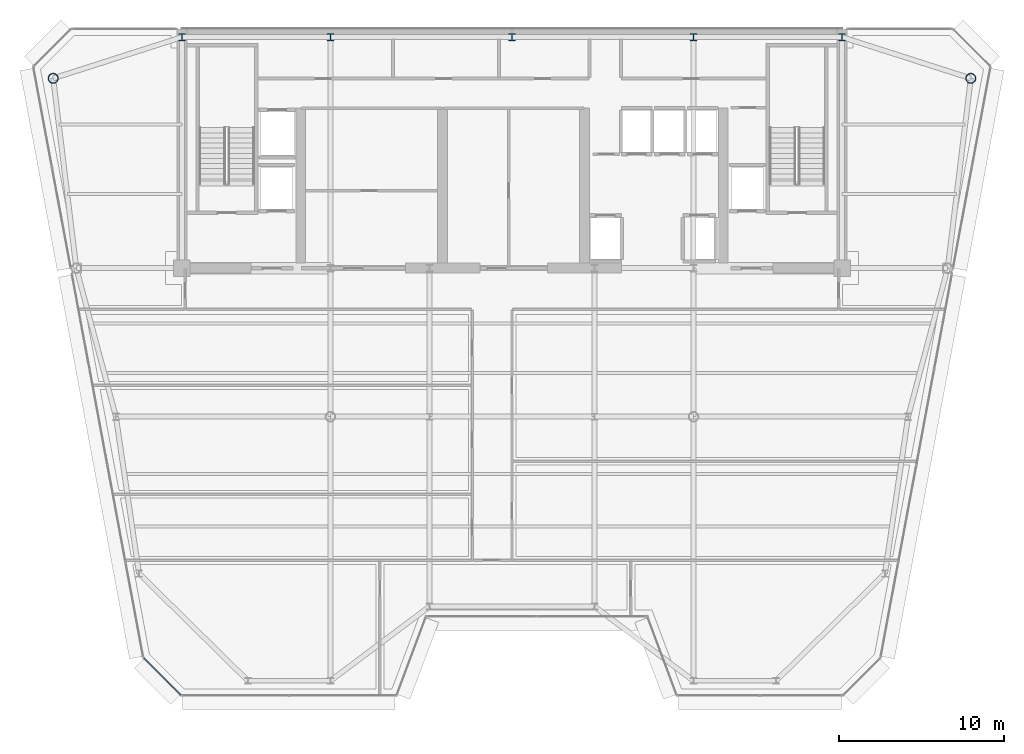
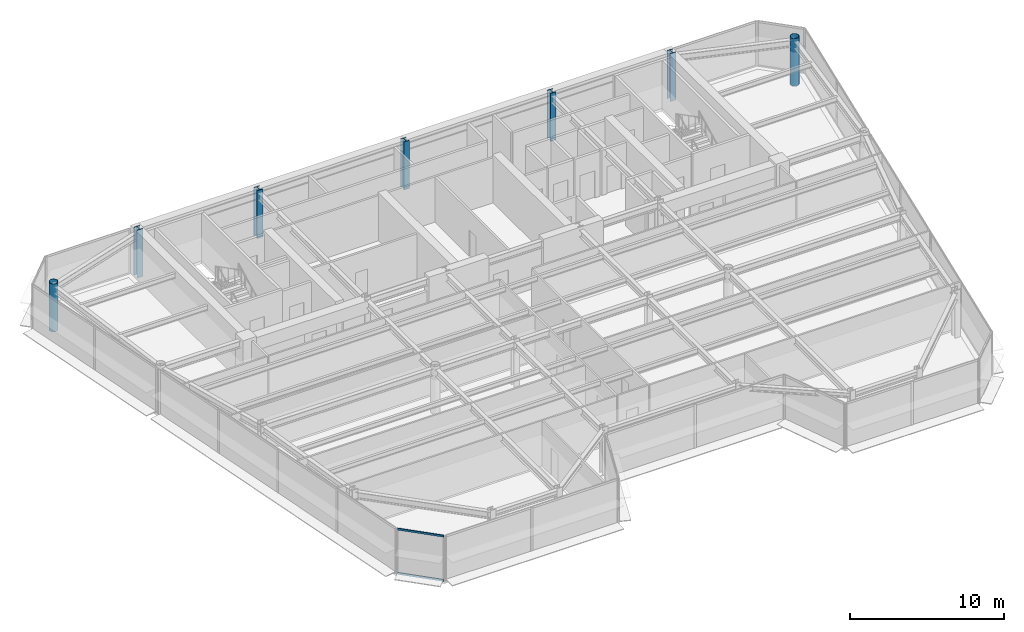
# One storey, part 2 of 18: 7 columns, 2 members, 1 element without a shape of its own.
"""IFC4 building model written with IfcOpenShell, lengths in metres."""

from ifc_helpers import new_model, si_unit, direction, frame, origin, origin_2d, place, context, subcontext, project, spatial, rectangle, hollow_circle, i_section, extrude, source, transform, mapped, material, layer, layer_set, material_profile, profile_set, type_object, element, aggregate, save


model = new_model("IFC4")

# Units and contexts
model_context = context("Model", 3, precision=1e-05, world=origin(), true_north=direction((0.0, 1.0)))
body_context = subcontext(model_context, "Body", "Model", "MODEL_VIEW")
ifc_project = project(units=[si_unit("LENGTHUNIT", "METRE"), si_unit("AREAUNIT", "SQUARE_METRE"), si_unit("VOLUMEUNIT", "CUBIC_METRE"), si_unit("PLANEANGLEUNIT", "RADIAN"), si_unit("MASSUNIT", "GRAM", prefix="KILO")], contexts=[model_context])

# Site, building, storey
site_placement = place(None, origin())
site = spatial("IfcSite", under=ifc_project, at=site_placement, CompositionType="ELEMENT")
building_placement = place(site_placement, origin())
building = spatial("IfcBuilding", under=site, at=building_placement, Name="Vaeldorn Concourse Tower", CompositionType="ELEMENT")
storey_placement = place(building_placement, frame((0.0, 0.0, 242.199951171875)))
storey = spatial("IfcBuildingStorey", under=building, at=storey_placement, Name="L62", CompositionType="ELEMENT", Elevation=242.199951171875)

# Columns
ifc_material_1 = material(Name="Steel S460", Category="steel")
ifc_material_profile_1 = material_profile(ifc_material_1, i_section(OverallWidth=0.41796875, OverallDepth=0.455078125, WebThickness=0.0419921875, FlangeThickness=0.05810546875, FilletRadius=0.014892578125, at=origin_2d()), Name="HD 400x551")
ifc_profile_set_1 = profile_set([ifc_material_profile_1], Name="Steel S460")
column_type_1 = type_object("IfcColumnType", Name="COL-HD551", PredefinedType="COLUMN", material=ifc_profile_set_1)
shared_shape_1 = source(origin(), body_context, "Body", "SweptSolid", [
    extrude(i_section(OverallWidth=0.41796875, OverallDepth=0.455078125, WebThickness=0.0419921875, FlangeThickness=0.05810546875, FilletRadius=0.014892578125, at=origin_2d()), origin(), (0.0, 0.0, 1.0), 3.800048828125),
])
for number, where, z_axis, x_axis, name in (
    (1, (14.0, 50.5, 0.0), (0.0, 0.0, 1.0), (1.0, 0.0, 0.0), "Column C-HC1 L62"),
    (2, (23.0, 50.5, 0.0), (0.0, 0.0, 1.0), (1.0, 0.0, 0.0), "Column C-HC2 L62"),
    (3, (34.0, 50.5, 0.0), (0.0, 0.0, 1.0), (1.0, 0.0, 0.0), "Column C-HC3 L62"),
    (4, (45.0, 50.5, 0.0), (0.0, 0.0, 1.0), (1.0, 0.0, 0.0), "Column C-HC4 L62"),
    (5, (54.0, 50.5, 0.0), (0.0, 0.0, 1.0), (1.0, 0.0, 0.0), "Column C-HC5 L62"),
):
    element("IfcColumn", number, at=place(storey_placement, frame(where, z_axis=z_axis, x_axis=x_axis)), inside=storey, type_object=column_type_1, Name=name, PredefinedType="COLUMN", context=body_context, shape_type="MappedRepresentation", body=[
        mapped(shared_shape_1, transform((0.0, 0.0, 0.0), scale=1.0)),
    ])
ifc_material_2 = material(Name="Steel S355", Category="steel")
ifc_material_profile_2 = material_profile(ifc_material_2, hollow_circle(Radius=0.304931640625, WallThickness=0.030029296875, at=origin_2d()), Name="CHS 610x30")
ifc_profile_set_2 = profile_set([ifc_material_profile_2], Name="Steel S355")
column_type_2 = type_object("IfcColumnType", Name="COL-CHS610", PredefinedType="COLUMN", material=ifc_profile_set_2)
shared_shape_2 = source(origin(), body_context, "Body", "SweptSolid", [
    extrude(hollow_circle(Radius=0.304931640625, WallThickness=0.030029296875, at=origin_2d()), origin(), (0.0, 0.0, 1.0), 3.800048828125),
])
for number, where, z_axis, x_axis, name in (
    (6, (6.199951171875, 48.0, 0.0), (0.0, 0.0, 1.0), (1.0, 0.0, 0.0), "Column C-NW1 L62"),
    (7, (61.800048828125, 48.0, 0.0), (0.0, 0.0, 1.0), (1.0, 0.0, 0.0), "Column C-NE1 L62"),
):
    element("IfcColumn", number, at=place(storey_placement, frame(where, z_axis=z_axis, x_axis=x_axis)), inside=storey, type_object=column_type_2, Name=name, PredefinedType="COLUMN", context=body_context, shape_type="MappedRepresentation", body=[
        mapped(shared_shape_2, transform((0.0, 0.0, 0.0), scale=1.0)),
    ])

# Curtain wall, members
ifc_material_3 = material(Name="Anodised Bronze Aluminium", Category="aluminium")
ifc_layer = layer(ifc_material_3, 0.179931640625)
ifc_layer_set = layer_set([ifc_layer], Name="Anodised Bronze Aluminium")
curtain_wall_type = type_object("IfcCurtainWallType", Name="CW-SYS-05", PredefinedType="NOTDEFINED", material=ifc_layer_set)
curtain_wall_placement = place(storey_placement, origin())
curtain_wall = element("IfcCurtainWall", 8, at=curtain_wall_placement, inside=storey, type_object=curtain_wall_type, Name="Unitised Curtain Wall CW-L62-E12-1", PredefinedType="NOTDEFINED")
ifc_material_profile_3 = material_profile(ifc_material_3, rectangle(XDim=0.06494140625, YDim=0.14990234375, at=origin_2d()), Name="CWT 65x150")
ifc_profile_set_3 = profile_set([ifc_material_profile_3], Name="Anodised Bronze Aluminium")
member_type = type_object("IfcMemberType", Name="CWT-BRONZE-150", PredefinedType="USERDEFINED", material=ifc_profile_set_3)
shared_shape_3 = source(origin(), body_context, "Body", "SweptSolid", [
    extrude(rectangle(XDim=0.06494140625, YDim=0.14990234375, at=origin_2d()), origin(), (0.0, 0.0, 1.0), 3.12255859375),
])
member_1_placement = place(storey_placement, frame((11.7119140625, 12.85400390625, 0.032470703125), z_axis=(0.707106781187, -0.707106781187, 0.0), x_axis=(0.707106781187, 0.707106781187, 0.0)))
member_1 = element("IfcMember", 9, at=member_1_placement, type_object=member_type, Name="CW-05 transom 1.1", ObjectType="TRANSOM", PredefinedType="USERDEFINED", context=body_context, shape_type="MappedRepresentation", body=[
    mapped(shared_shape_3, transform((0.0, 0.0, 0.0), scale=1.0)),
])
member_2_placement = place(storey_placement, frame((11.7119140625, 12.85400390625, 3.547607421875), z_axis=(0.707106781187, -0.707106781187, 0.0), x_axis=(0.707106781187, 0.707106781187, 0.0)))
member_2 = element("IfcMember", 10, at=member_2_placement, type_object=member_type, Name="CW-05 transom 1.2", ObjectType="TRANSOM", PredefinedType="USERDEFINED", context=body_context, shape_type="MappedRepresentation", body=[
    mapped(shared_shape_3, transform((0.0, 0.0, 0.0), scale=1.0)),
])
aggregate(curtain_wall, [member_1, member_2])

save(model, "model.ifc")
